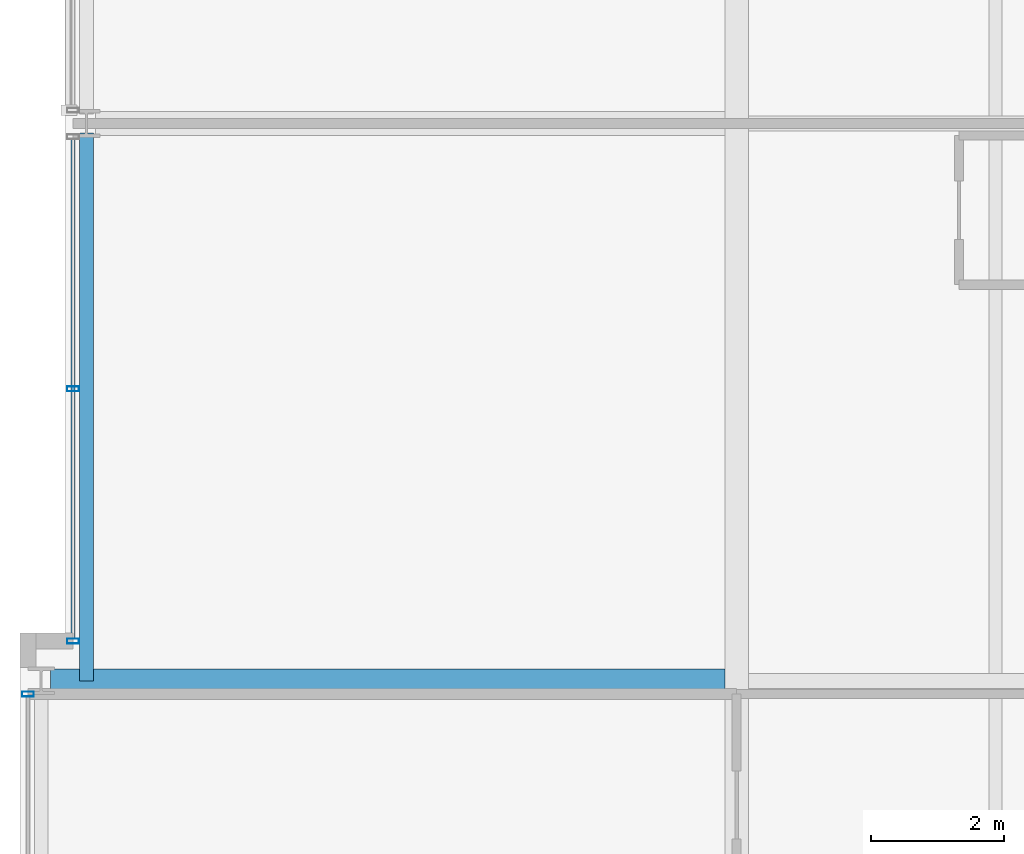
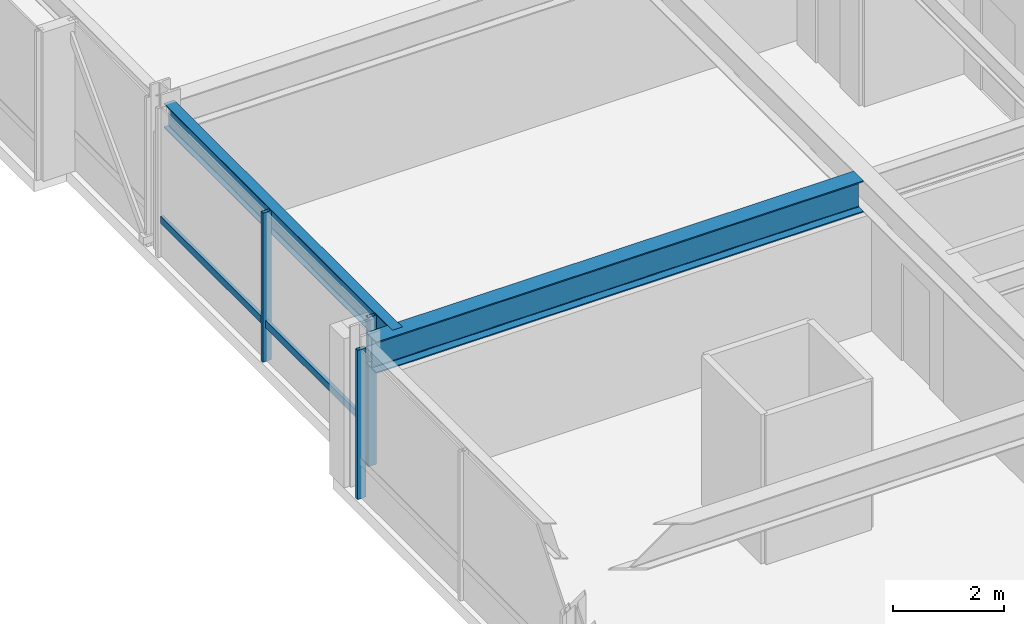
# One storey, part 7 of 33: 4 members, 2 beams, 2 elements without a shape of their own.
"""IFC4 building model written with IfcOpenShell, lengths in metres."""

import ifcopenshell
import ifcopenshell.guid

model = None  # the IFC model being written
_history = None  # IfcOwnerHistory: only IFC2X3 demands one
_inside = {}  # id of a spatial element -> (the spatial element, [elements in it])
_under = {}  # id of a project, library or spatial element -> (it, [spatial elements below it])
_declared = {}  # id of a project -> (the project, [libraries it declares])
_typed = {}  # id of a type object -> (the type object, [elements of that type])
_made_of = {}  # id of a material, layer set ... -> (it, [elements and type objects made of it])


def new_model(schema):
    """Start an empty IFC model of exactly this schema.

    Asked for "IFC4X3", IfcOpenShell would pick the latest addendum, in which some entities
    have other attributes; the version numbers below select the first issue.
    IFC2X3 requires an IfcOwnerHistory on every rooted entity: one is made here for all.
    """
    global model, _history
    if schema == "IFC4X3":
        model = ifcopenshell.file(schema_version=(4, 3, 0, 0))
    else:
        model = ifcopenshell.file(schema=schema)
    _inside.clear()
    _under.clear()
    _declared.clear()
    _typed.clear()
    _made_of.clear()
    _history = None
    if model.schema == "IFC2X3":
        org = make("IfcOrganization", Name="unknown")
        user = make(
            "IfcPersonAndOrganization",
            ThePerson=make("IfcPerson", FamilyName="unknown"),
            TheOrganization=org,
        )
        app = make(
            "IfcApplication",
            ApplicationDeveloper=org,
            Version="unknown",
            ApplicationFullName="unknown",
            ApplicationIdentifier="unknown",
        )
        _history = make(
            "IfcOwnerHistory",
            OwningUser=user,
            OwningApplication=app,
            ChangeAction="ADDED",
            CreationDate=0,
        )
    return model


def make(cls, **values):
    """One entity of the class cls with the attributes given. An attribute that is None is left unset."""
    return model.create_entity(
        cls, **{name: value for name, value in values.items() if value is not None}
    )


def rooted(cls, **values):
    """An entity with a GlobalId (a new one), such as an element, a storey or a relation."""
    return make(cls, GlobalId=ifcopenshell.guid.new(), OwnerHistory=_history, **values)


def si_unit(unit_type, name, prefix=None):
    """IfcSIUnit, for example si_unit("LENGTHUNIT", "METRE", prefix="MILLI")."""
    return make("IfcSIUnit", UnitType=unit_type, Prefix=prefix, Name=name)


def assignment(units):
    """IfcUnitAssignment: the units of a project."""
    return None if units is None else make("IfcUnitAssignment", Units=units)


def point(xyz):
    """IfcCartesianPoint."""
    return None if xyz is None else make("IfcCartesianPoint", Coordinates=xyz)


def direction(xyz):
    """IfcDirection."""
    return None if xyz is None else make("IfcDirection", DirectionRatios=xyz)


def frame(location, z_axis=None, x_axis=None):
    """IfcAxis2Placement3D, a coordinate frame: its origin and axes. An axis left out is left unset."""
    return make(
        "IfcAxis2Placement3D",
        Location=point(location),
        Axis=direction(z_axis),
        RefDirection=direction(x_axis),
    )


def frame_2d(location, x_axis=None):
    """IfcAxis2Placement2D, a coordinate frame in the plane: its origin and x axis."""
    return make(
        "IfcAxis2Placement2D", Location=point(location), RefDirection=direction(x_axis)
    )


def origin():
    """The frame at (0, 0, 0) with its axes left unset."""
    return frame((0.0, 0.0, 0.0))


def origin_2d():
    """The frame at (0, 0) in the plane with its x axis left unset."""
    return frame_2d((0.0, 0.0))


def place(relative_to, where):
    """IfcLocalPlacement: puts the frame where relative to a parent placement (None: the world)."""
    return make(
        "IfcLocalPlacement", PlacementRelTo=relative_to, RelativePlacement=where
    )


def context(
    kind, dimensions, precision=None, world=None, true_north=None, identifier=None
):
    """IfcGeometricRepresentationContext, for example the 3D "Model" context."""
    return make(
        "IfcGeometricRepresentationContext",
        ContextIdentifier=identifier,
        ContextType=kind,
        CoordinateSpaceDimension=dimensions,
        Precision=precision,
        WorldCoordinateSystem=world,
        TrueNorth=true_north,
    )


def subcontext(parent, identifier, kind, view, scale=None):
    """IfcGeometricRepresentationSubContext, for example "Body" below "Model"."""
    return make(
        "IfcGeometricRepresentationSubContext",
        ContextIdentifier=identifier,
        ContextType=kind,
        ParentContext=parent,
        TargetScale=scale,
        TargetView=view,
    )


def project(units=None, contexts=None):
    """IfcProject with its units and contexts."""
    return rooted(
        "IfcProject",
        Name="project",
        RepresentationContexts=contexts,
        UnitsInContext=assignment(units),
    )


def spatial(cls, under=None, at=None, **own):
    """A site, building, storey or space (cls), placed at a placement, below another one or the project."""
    s = rooted(cls, ObjectPlacement=at, **own)
    if under is not None:
        _under.setdefault(under.id(), (under, []))[1].append(s)
    return s


def profile(cls, at=None, kind="AREA", **sizes):
    """A parametric profile (cls). Its sizes go by their IFC names, for example OverallWidth=200.0."""
    return make(cls, ProfileType=kind, Position=at, **sizes)


def hollow_rectangle(**sizes):
    """IfcRectangleHollowProfileDef."""
    return profile("IfcRectangleHollowProfileDef", **sizes)


def i_section(**sizes):
    """IfcIShapeProfileDef."""
    return profile("IfcIShapeProfileDef", **sizes)


def extrude(swept, where, along, depth):
    """IfcExtrudedAreaSolid: the profile swept, set in the frame where, extruded along a direction by depth."""
    return make(
        "IfcExtrudedAreaSolid",
        SweptArea=swept,
        Position=where,
        ExtrudedDirection=direction(along),
        Depth=depth,
    )


def shape(context_of_items, identifier, shape_type, items):
    """IfcShapeRepresentation: the items that make up one representation, for example the "Body"."""
    return make(
        "IfcShapeRepresentation",
        ContextOfItems=context_of_items,
        RepresentationIdentifier=identifier,
        RepresentationType=shape_type,
        Items=items,
    )


def material(Name=None, Category=None):
    """IfcMaterial."""
    return make("IfcMaterial", Name=Name, Category=Category)


def layer(
    of_material, thickness, ventilated=None, Name=None, Category=None, Priority=None
):
    """IfcMaterialLayer: one layer of a wall or slab, of a material (None: an air gap)."""
    return make(
        "IfcMaterialLayer",
        Material=of_material,
        LayerThickness=thickness,
        IsVentilated=ventilated,
        Name=Name,
        Category=Category,
        Priority=Priority,
    )


def layer_set(layers, Name=None):
    """IfcMaterialLayerSet."""
    return make("IfcMaterialLayerSet", MaterialLayers=layers, LayerSetName=Name)


def material_profile(
    of_material, cross_section, Name=None, Category=None, Priority=None
):
    """IfcMaterialProfile: a cross section and its material."""
    return make(
        "IfcMaterialProfile",
        Name=Name,
        Material=of_material,
        Profile=cross_section,
        Priority=Priority,
        Category=Category,
    )


def profile_set(profiles, Name=None, composite=None):
    """IfcMaterialProfileSet."""
    return make(
        "IfcMaterialProfileSet",
        Name=Name,
        MaterialProfiles=profiles,
        CompositeProfile=composite,
    )


def made_of(thing, what):
    """Note that an element or type object is made of a material, layer set ...; save() writes the relation."""
    if what is not None:
        _made_of.setdefault(what.id(), (what, []))[1].append(thing)
    return thing


def type_object(cls, material=None, **own):
    """A type object (cls), such as IfcWallType, which elements share."""
    return made_of(rooted(cls, **own), material)


def element(
    cls,
    number,
    at=None,
    inside=None,
    cuts=None,
    type_object=None,
    material=None,
    context=None,
    identifier="Body",
    shape_type=None,
    held_by="IfcProductDefinitionShape",
    body=None,
    shapes=None,
    **own,
):
    """One element of the class cls, such as IfcWall. Its Tag is "e" and its number.

    at: its placement. inside: the storey or other place that contains it. cuts: it is an
    opening in that element (IfcRelVoidsElement). A single representation is given by context,
    identifier, shape_type and body (its items); several are given by shapes. held_by: the class
    of the entity that holds the representations. save() writes the other relations.
    """
    e = rooted(cls, Tag="e%d" % number, ObjectPlacement=at, **own)
    if body is not None:
        shapes = [shape(context, identifier, shape_type, body)]
    if shapes is not None:
        e.Representation = make(held_by, Representations=shapes)
    if inside is not None:
        _inside.setdefault(inside.id(), (inside, []))[1].append(e)
    if cuts is not None:
        rooted(
            "IfcRelVoidsElement", RelatingBuildingElement=cuts, RelatedOpeningElement=e
        )
    if type_object is not None:
        _typed.setdefault(type_object.id(), (type_object, []))[1].append(e)
    return made_of(e, material)


def aggregate(whole, parts):
    """IfcRelAggregates: a whole, such as a stair, and the parts it consists of."""
    return rooted("IfcRelAggregates", RelatingObject=whole, RelatedObjects=parts)


def save(model, path):
    """Write the relations noted so far, then the file.

    IfcRelAggregates (storeys below a building ...), IfcRelContainedInSpatialStructure (elements
    in a storey), IfcRelDefinesByType, IfcRelAssociatesMaterial and IfcRelDeclares: one each for
    every whole, place, type object, material and project.
    """
    for whole, parts in _under.values():
        aggregate(whole, parts)
    for where, things in _inside.values():
        rooted(
            "IfcRelContainedInSpatialStructure",
            RelatedElements=things,
            RelatingStructure=where,
        )
    for kind, things in _typed.values():
        rooted("IfcRelDefinesByType", RelatedObjects=things, RelatingType=kind)
    for what, things in _made_of.values():
        rooted("IfcRelAssociatesMaterial", RelatedObjects=things, RelatingMaterial=what)
    for by, libraries in _declared.values():
        rooted("IfcRelDeclares", RelatingContext=by, RelatedDefinitions=libraries)
    model.write(path)


model = new_model("IFC4")

# Units and contexts
model_context = context("Model", 3, precision=1e-05, world=origin(), true_north=direction((0.0, 1.0)))
body_context = subcontext(model_context, "Body", "Model", "MODEL_VIEW")
ifc_project = project(units=[si_unit("LENGTHUNIT", "METRE"), si_unit("AREAUNIT", "SQUARE_METRE"), si_unit("VOLUMEUNIT", "CUBIC_METRE"), si_unit("PLANEANGLEUNIT", "RADIAN"), si_unit("MASSUNIT", "GRAM", prefix="KILO")], contexts=[model_context])

# Site, building, storey
site_placement = place(None, origin())
site = spatial("IfcSite", under=ifc_project, at=site_placement, CompositionType="ELEMENT")
building_placement = place(site_placement, origin())
building = spatial("IfcBuilding", under=site, at=building_placement, Name="Drelvath Grand Hotel", CompositionType="ELEMENT")
storey_placement = place(building_placement, frame((0.0, 0.0, 161.050048828125)))
storey = spatial("IfcBuildingStorey", under=building, at=storey_placement, Name="L41", CompositionType="ELEMENT", Elevation=161.050048828125)

# Curtain wall, member
ifc_material_1 = material(Name="Brushed Pale-Silver Anodised Aluminium Frame", Category="aluminium")
ifc_layer = layer(ifc_material_1, 0.199951171875)
ifc_layer_set = layer_set([ifc_layer], Name="Brushed Pale-Silver Anodised Aluminium Frame")
curtain_wall_type = type_object("IfcCurtainWallType", Name="Stick Curtain Wall CW-04 Brushed Silver Upper-Mid", PredefinedType="NOTDEFINED", material=ifc_layer_set)
curtain_wall_1_placement = place(storey_placement, origin())
curtain_wall_1 = element("IfcCurtainWall", 1, at=curtain_wall_1_placement, inside=storey, type_object=curtain_wall_type, Name="L41 CW-04 Curtain Wall CW04-L41-WM1", PredefinedType="NOTDEFINED")
ifc_material_profile_1 = material_profile(ifc_material_1, hollow_rectangle(XDim=0.06494140625, YDim=0.159912109375, WallThickness=0.00390625, at=origin_2d()), Name="HSS160X65X4")
ifc_profile_set_1 = profile_set([ifc_material_profile_1], Name="Brushed Pale-Silver Anodised Aluminium Frame")
member_type_1 = type_object("IfcMemberType", Name="Curtain Wall Horizontal Transom CW-04 HSS160X65X4", PredefinedType="USERDEFINED", material=ifc_profile_set_1)
member_1_placement = place(storey_placement, frame((-26.199951171875, 19.239990234375, 0.822509765625), z_axis=(0.0, 1.0, 0.0), x_axis=(-1.0, 0.0, 0.0)))
member_1 = element("IfcMember", 2, at=member_1_placement, type_object=member_type_1, Name="CW04-L41-WM1 Sill Transom", ObjectType="TRANSOM", PredefinedType="USERDEFINED", context=body_context, shape_type="SweptSolid", body=[
    extrude(hollow_rectangle(XDim=0.06494140625, YDim=0.159912109375, WallThickness=0.00390625, at=origin_2d()), origin(), (0.0, 0.0, 1.0), 7.52001953125),
])

curtain_wall_2_placement = place(storey_placement, origin())
curtain_wall_2 = element("IfcCurtainWall", 3, at=curtain_wall_2_placement, inside=storey, type_object=curtain_wall_type, Name="L41 CW-04 Curtain Wall CW04-L41-WS2", PredefinedType="NOTDEFINED")
ifc_material_profile_2 = material_profile(ifc_material_1, hollow_rectangle(XDim=0.074951171875, YDim=0.179931640625, WallThickness=0.0048828125, at=origin_2d()), Name="HSS180X75X5")
ifc_profile_set_2 = profile_set([ifc_material_profile_2], Name="Brushed Pale-Silver Anodised Aluminium Frame")
member_type_2 = type_object("IfcMemberType", Name="Curtain Wall Vertical Mullion CW-04 HSS180X75X5", PredefinedType="MULLION", material=ifc_profile_set_2)
member_2_placement = place(storey_placement, frame((-26.8798828125, 18.39990234375, 0.0), z_axis=(0.0, 0.0, 1.0), x_axis=(0.0, 1.0, 0.0)))
member_2 = element("IfcMember", 4, at=member_2_placement, type_object=member_type_2, Name="CW04-L41-WS2 Mullion 3", PredefinedType="MULLION", context=body_context, shape_type="SweptSolid", body=[
    extrude(hollow_rectangle(XDim=0.074951171875, YDim=0.179931640625, WallThickness=0.0048828125, at=origin_2d()), origin(), (0.0, 0.0, 1.0), 3.2900390625),
])
aggregate(curtain_wall_2, [member_2])

# Member
member_3_placement = place(storey_placement, frame((-26.199951171875, 19.199951171875, 0.0), z_axis=(0.0, 0.0, 1.0), x_axis=(0.0, 1.0, 0.0)))
member_3 = element("IfcMember", 5, at=member_3_placement, type_object=member_type_2, Name="CW04-L41-WM1 Mullion 1", PredefinedType="MULLION", context=body_context, shape_type="SweptSolid", body=[
    extrude(hollow_rectangle(XDim=0.074951171875, YDim=0.179931640625, WallThickness=0.0048828125, at=origin_2d()), origin(), (0.0, 0.0, 1.0), 3.2900390625),
])

member_4_placement = place(storey_placement, frame((-26.199951171875, 23.0, 0.0), z_axis=(0.0, 0.0, 1.0), x_axis=(0.0, 1.0, 0.0)))
member_4 = element("IfcMember", 6, at=member_4_placement, type_object=member_type_2, Name="CW04-L41-WM1 Mullion 2", PredefinedType="MULLION", context=body_context, shape_type="SweptSolid", body=[
    extrude(hollow_rectangle(XDim=0.074951171875, YDim=0.179931640625, WallThickness=0.0048828125, at=origin_2d()), origin(), (0.0, 0.0, 1.0), 3.2900390625),
])

aggregate(curtain_wall_1, [member_3, member_4, member_1])

# Beams
ifc_material_2 = material(Name="Steel ASTM A992 Gr 50", Category="steel")
ifc_material_profile_3 = material_profile(ifc_material_2, i_section(OverallWidth=0.210205078125, OverallDepth=0.53662109375, WebThickness=0.010986328125, FlangeThickness=0.017333984375, FilletRadius=0.01806640625, at=origin_2d()), Name="W21X68")
ifc_profile_set_3 = profile_set([ifc_material_profile_3], Name="Steel ASTM A992 Gr 50")
beam_type_1 = type_object("IfcBeamType", Name="Perimeter Spandrel Beam W21X68", PredefinedType="SPANDREL", material=ifc_profile_set_3)
beam_1_placement = place(storey_placement, frame((-26.0, 18.60009765625, 3.021728515625), z_axis=(0.0, 1.0, 0.0), x_axis=(-1.0, 0.0, 0.0)))
element("IfcBeam", 7, at=beam_1_placement, inside=storey, type_object=beam_type_1, Name="L41 Spandrel West Mid S", PredefinedType="SPANDREL", context=body_context, shape_type="SweptSolid", body=[
    extrude(i_section(OverallWidth=0.210205078125, OverallDepth=0.53662109375, WebThickness=0.010986328125, FlangeThickness=0.017333984375, FilletRadius=0.01806640625, at=origin_2d()), origin(), (0.0, 0.0, 1.0), 8.260009765625),
])
ifc_material_profile_4 = material_profile(ifc_material_2, i_section(OverallWidth=0.354736328125, OverallDepth=0.695556640625, WebThickness=0.015380859375, FlangeThickness=0.025146484375, FilletRadius=0.02392578125, at=origin_2d()), Name="W27X146")
ifc_profile_set_4 = profile_set([ifc_material_profile_4], Name="Steel ASTM A992 Gr 50")
beam_type_2 = type_object("IfcBeamType", Name="Primary Floor Girder W27X146", PredefinedType="BEAM", material=ifc_profile_set_4)
beam_2_placement = place(storey_placement, frame((-26.5400390625, 18.60009765625, 2.942138671875), z_axis=(1.0, 0.0, 0.0), x_axis=(0.0, 1.0, 0.0)))
element("IfcBeam", 8, at=beam_2_placement, inside=storey, type_object=beam_type_2, Name="L41 West Wing Girder D", PredefinedType="BEAM", context=body_context, shape_type="SweptSolid", body=[
    extrude(i_section(OverallWidth=0.354736328125, OverallDepth=0.695556640625, WebThickness=0.015380859375, FlangeThickness=0.025146484375, FilletRadius=0.02392578125, at=origin_2d()), origin(), (0.0, 0.0, 1.0), 10.16259765625),
])

save(model, "model.ifc")
